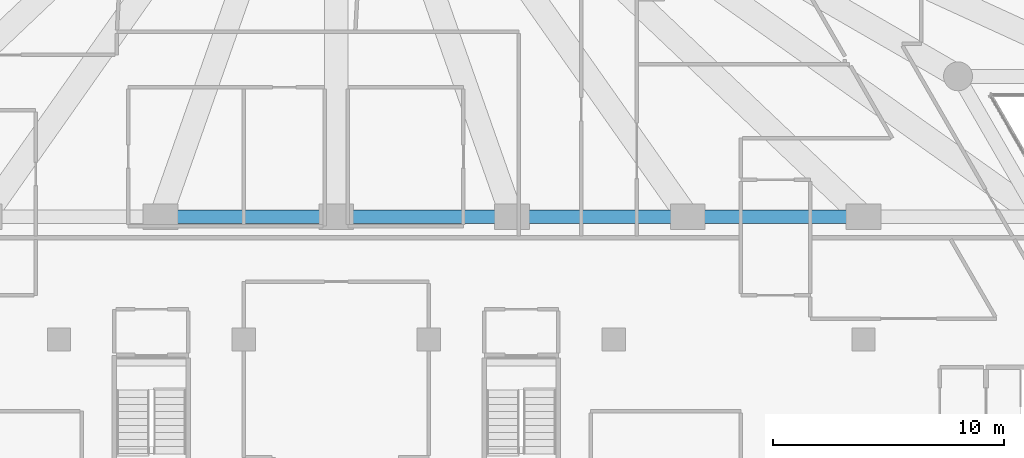
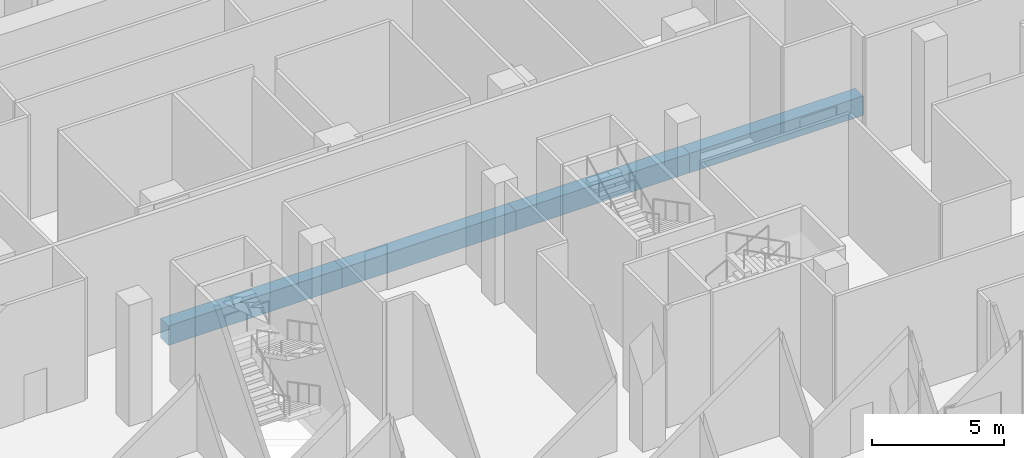
# One storey, part 8 of 36: 4 beams.
"""IFC4 building model written with IfcOpenShell, lengths in metres."""

from ifc_helpers import new_model, si_unit, direction, frame, origin, origin_2d, place, context, subcontext, project, spatial, rectangle, extrude, material, material_profile, profile_set, type_object, element, save


model = new_model("IFC4")

# Units and contexts
model_context = context("Model", 3, precision=1e-05, world=origin(), true_north=direction((0.0, 1.0)))
body_context = subcontext(model_context, "Body", "Model", "MODEL_VIEW")
ifc_project = project(units=[si_unit("LENGTHUNIT", "METRE"), si_unit("AREAUNIT", "SQUARE_METRE"), si_unit("VOLUMEUNIT", "CUBIC_METRE"), si_unit("PLANEANGLEUNIT", "RADIAN"), si_unit("MASSUNIT", "GRAM", prefix="KILO")], contexts=[model_context])

# Site, building, storey
site_placement = place(None, origin())
site = spatial("IfcSite", under=ifc_project, at=site_placement, CompositionType="ELEMENT")
building_placement = place(site_placement, origin())
building = spatial("IfcBuilding", under=site, at=building_placement, Name="Triada Interchange Tower", CompositionType="ELEMENT")
storey_placement = place(building_placement, frame((0.0, 0.0, 8.5)))
storey = spatial("IfcBuildingStorey", under=building, at=storey_placement, Name="L01", CompositionType="ELEMENT", Elevation=8.5)

# Beams
ifc_material = material(Name="Concrete C50/60", Category="concrete")
ifc_material_profile = material_profile(ifc_material, rectangle(XDim=0.60009765625, YDim=0.89990234375, at=origin_2d()), Name="RC 600x900")
ifc_profile_set = profile_set([ifc_material_profile], Name="Concrete C50/60")
beam_type = type_object("IfcBeamType", Name="Spandrel beam P RC 600x900", PredefinedType="BEAM", material=ifc_profile_set)
for number, where, z_axis, x_axis, name in (
    (1, (-7.59912109375, -21.60009765625, -0.85009765625), (1.0, 0.0, 0.0), (0.0, 1.0, 0.0), "Spandrel beam EP14 L01"),
    (2, (0.0, -21.60009765625, -0.85009765625), (1.0, 0.0, 0.0), (0.0, 1.0, 0.0), "Spandrel beam EP15 L01"),
):
    element("IfcBeam", number, at=place(storey_placement, frame(where, z_axis=z_axis, x_axis=x_axis)), inside=storey, type_object=beam_type, Name=name, PredefinedType="BEAM", context=body_context, shape_type="SweptSolid", body=[
        extrude(rectangle(XDim=0.60009765625, YDim=0.89990234375, at=origin_2d()), origin(), (0.0, 0.0, 1.0), 7.59912109375),
    ])
beam_1_placement = place(storey_placement, frame((7.59912109375, -21.60009765625, -0.85009765625), z_axis=(1.0, 0.0, 0.0), x_axis=(0.0, 1.0, 0.0)))
element("IfcBeam", 3, at=beam_1_placement, inside=storey, type_object=beam_type, Name="Spandrel beam EP16 L01", PredefinedType="BEAM", context=body_context, shape_type="SweptSolid", body=[
    extrude(rectangle(XDim=0.60009765625, YDim=0.89990234375, at=origin_2d()), origin(), (0.0, 0.0, 1.0), 7.599853515625),
])
beam_2_placement = place(storey_placement, frame((15.198974609375, -21.60009765625, -0.85009765625), z_axis=(1.0, 0.0, 0.0), x_axis=(0.0, 1.0, 0.0)))
element("IfcBeam", 4, at=beam_2_placement, inside=storey, type_object=beam_type, Name="Spandrel beam EP17 L01", PredefinedType="BEAM", context=body_context, shape_type="SweptSolid", body=[
    extrude(rectangle(XDim=0.60009765625, YDim=0.89990234375, at=origin_2d()), origin(), (0.0, 0.0, 1.0), 7.59912109375),
])

save(model, "model.ifc")
